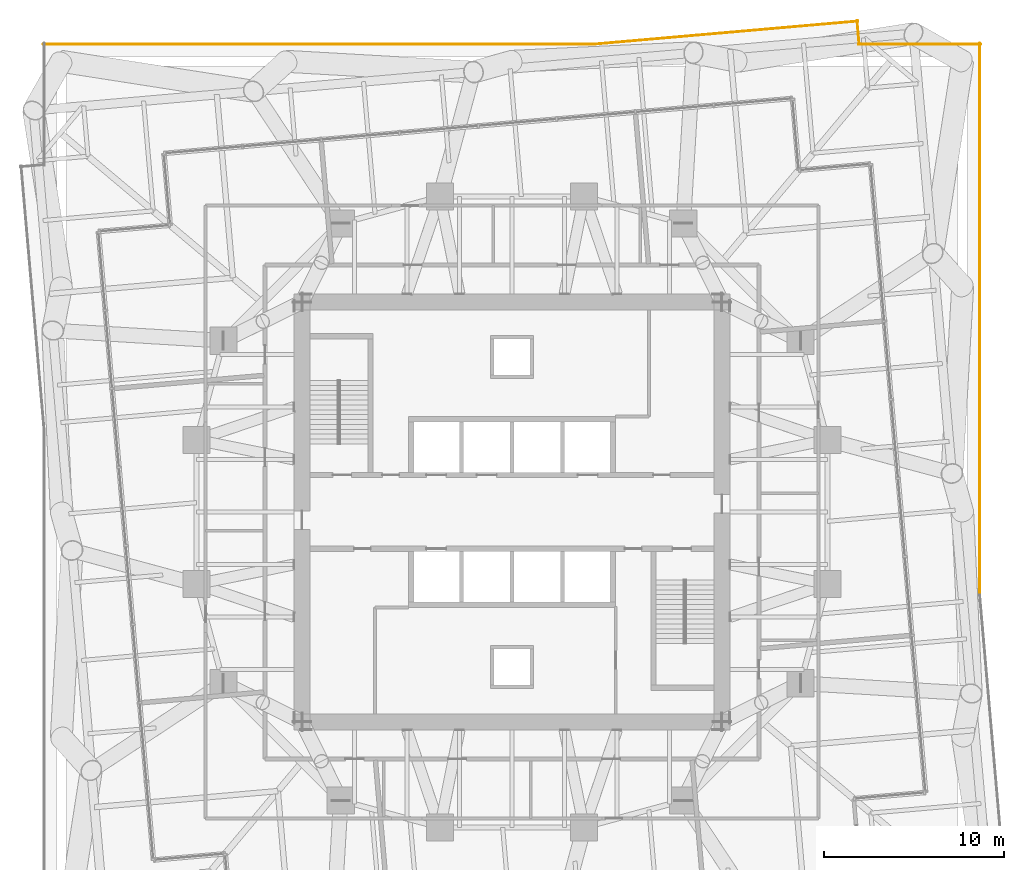
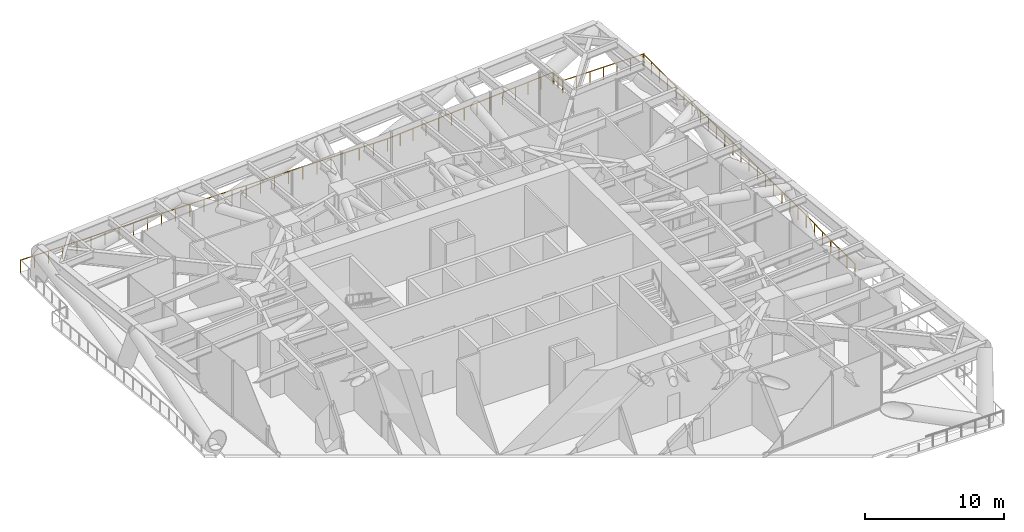
# One storey, part 14 of 14: 5 railings.
"""IFC4 building model written with IfcOpenShell, lengths in metres."""

from ifc_helpers import new_model, si_unit, direction, frame, origin, origin_2d, place, context, subcontext, project, spatial, circle, extrude, material, type_object, element, save


model = new_model("IFC4")

# Units and contexts
model_context = context("Model", 3, precision=1e-05, world=origin(), true_north=direction((0.0, 1.0)))
body_context = subcontext(model_context, "Body", "Model", "MODEL_VIEW")
ifc_project = project(units=[si_unit("LENGTHUNIT", "METRE"), si_unit("AREAUNIT", "SQUARE_METRE"), si_unit("VOLUMEUNIT", "CUBIC_METRE"), si_unit("PLANEANGLEUNIT", "RADIAN"), si_unit("MASSUNIT", "GRAM", prefix="KILO")], contexts=[model_context])

# Site, building, storey
site_placement = place(None, origin())
site = spatial("IfcSite", under=ifc_project, at=site_placement, CompositionType="ELEMENT")
building_placement = place(site_placement, origin())
building = spatial("IfcBuilding", under=site, at=building_placement, Name="Torsade Residences", CompositionType="ELEMENT")
storey_placement = place(building_placement, frame((0.0, 0.0, 42.199951171875)))
storey = spatial("IfcBuildingStorey", under=building, at=storey_placement, Name="L11", CompositionType="ELEMENT", Elevation=42.199951171875)

# Railings
ifc_material = material(Name="Galvanised steel guard rail", Category="steel")
railing_type = type_object("IfcRailingType", Name="ROOF EDGE GUARD 1100", PredefinedType="GUARDRAIL", material=ifc_material)
railing_1_placement = place(storey_placement, frame((65.949951171875, 25.3984375, 0.0)))
element("IfcRailing", 1, at=railing_1_placement, inside=storey, type_object=railing_type, Name="Roof edge guard L11 7", PredefinedType="GUARDRAIL", context=body_context, shape_type="SweptSolid", body=[
    extrude(circle(Radius=0.02392578125, at=origin_2d()), frame((0.0, 0.0, 1.076171875), z_axis=(0.0, 1.0, 0.0), x_axis=(-1.0, 0.0, 0.0)), (0.0, 0.0, 1.0), 30.6015625),
    extrude(circle(Radius=0.02099609375, at=origin_2d()), origin(), (0.0, 0.0, 1.0), 1.052001953125),
    extrude(circle(Radius=0.02099609375, at=origin_2d()), frame((0.0, 1.177001953125, 0.0)), (0.0, 0.0, 1.0), 1.052001953125),
    extrude(circle(Radius=0.02099609375, at=origin_2d()), frame((0.0, 2.35400390625, 0.0)), (0.0, 0.0, 1.0), 1.052001953125),
    extrude(circle(Radius=0.02099609375, at=origin_2d()), frame((0.0, 3.531005859375, 0.0)), (0.0, 0.0, 1.0), 1.052001953125),
    extrude(circle(Radius=0.02099609375, at=origin_2d()), frame((0.0, 4.7080078125, 0.0)), (0.0, 0.0, 1.0), 1.052001953125),
    extrude(circle(Radius=0.02099609375, at=origin_2d()), frame((0.0, 5.885009765625, 0.0)), (0.0, 0.0, 1.0), 1.052001953125),
    extrude(circle(Radius=0.02099609375, at=origin_2d()), frame((0.0, 7.06201171875, 0.0)), (0.0, 0.0, 1.0), 1.052001953125),
    extrude(circle(Radius=0.02099609375, at=origin_2d()), frame((0.0, 8.23876953125, 0.0)), (0.0, 0.0, 1.0), 1.052001953125),
    extrude(circle(Radius=0.02099609375, at=origin_2d()), frame((0.0, 9.415771484375, 0.0)), (0.0, 0.0, 1.0), 1.052001953125),
    extrude(circle(Radius=0.02099609375, at=origin_2d()), frame((0.0, 10.5927734375, 0.0)), (0.0, 0.0, 1.0), 1.052001953125),
    extrude(circle(Radius=0.02099609375, at=origin_2d()), frame((0.0, 11.769775390625, 0.0)), (0.0, 0.0, 1.0), 1.052001953125),
    extrude(circle(Radius=0.02099609375, at=origin_2d()), frame((0.0, 12.94677734375, 0.0)), (0.0, 0.0, 1.0), 1.052001953125),
    extrude(circle(Radius=0.02099609375, at=origin_2d()), frame((0.0, 14.123779296875, 0.0)), (0.0, 0.0, 1.0), 1.052001953125),
    extrude(circle(Radius=0.02099609375, at=origin_2d()), frame((0.0, 15.30078125, 0.0)), (0.0, 0.0, 1.0), 1.052001953125),
    extrude(circle(Radius=0.02099609375, at=origin_2d()), frame((0.0, 16.477783203125, 0.0)), (0.0, 0.0, 1.0), 1.052001953125),
    extrude(circle(Radius=0.02099609375, at=origin_2d()), frame((0.0, 17.65478515625, 0.0)), (0.0, 0.0, 1.0), 1.052001953125),
    extrude(circle(Radius=0.02099609375, at=origin_2d()), frame((0.0, 18.831787109375, 0.0)), (0.0, 0.0, 1.0), 1.052001953125),
    extrude(circle(Radius=0.02099609375, at=origin_2d()), frame((0.0, 20.0087890625, 0.0)), (0.0, 0.0, 1.0), 1.052001953125),
    extrude(circle(Radius=0.02099609375, at=origin_2d()), frame((0.0, 21.185791015625, 0.0)), (0.0, 0.0, 1.0), 1.052001953125),
    extrude(circle(Radius=0.02099609375, at=origin_2d()), frame((0.0, 22.36279296875, 0.0)), (0.0, 0.0, 1.0), 1.052001953125),
    extrude(circle(Radius=0.02099609375, at=origin_2d()), frame((0.0, 23.53955078125, 0.0)), (0.0, 0.0, 1.0), 1.052001953125),
    extrude(circle(Radius=0.02099609375, at=origin_2d()), frame((0.0, 24.716552734375, 0.0)), (0.0, 0.0, 1.0), 1.052001953125),
    extrude(circle(Radius=0.02099609375, at=origin_2d()), frame((0.0, 25.8935546875, 0.0)), (0.0, 0.0, 1.0), 1.052001953125),
    extrude(circle(Radius=0.02099609375, at=origin_2d()), frame((0.0, 27.070556640625, 0.0)), (0.0, 0.0, 1.0), 1.052001953125),
    extrude(circle(Radius=0.02099609375, at=origin_2d()), frame((0.0, 28.24755859375, 0.0)), (0.0, 0.0, 1.0), 1.052001953125),
    extrude(circle(Radius=0.02099609375, at=origin_2d()), frame((0.0, 29.424560546875, 0.0)), (0.0, 0.0, 1.0), 1.052001953125),
    extrude(circle(Radius=0.02099609375, at=origin_2d()), frame((0.0, 30.6015625, 0.0)), (0.0, 0.0, 1.0), 1.052001953125),
])
railing_2_placement = place(storey_placement, frame((66.0, 55.949951171875, 0.0)))
element("IfcRailing", 2, at=railing_2_placement, inside=storey, type_object=railing_type, Name="Roof edge guard L11 8", PredefinedType="GUARDRAIL", context=body_context, shape_type="SweptSolid", body=[
    extrude(circle(Radius=0.02392578125, at=origin_2d()), frame((0.0, 0.0, 1.076171875), z_axis=(-1.0, 0.0, 0.0), x_axis=(0.0, -1.0, 0.0)), (0.0, 0.0, 1.0), 6.7841796875),
    extrude(circle(Radius=0.02099609375, at=origin_2d()), origin(), (0.0, 0.0, 1.0), 1.052001953125),
    extrude(circle(Radius=0.02099609375, at=origin_2d()), frame((-1.130615234375, 0.0, 0.0)), (0.0, 0.0, 1.0), 1.052001953125),
    extrude(circle(Radius=0.02099609375, at=origin_2d()), frame((-2.261474609375, 0.0, 0.0)), (0.0, 0.0, 1.0), 1.052001953125),
    extrude(circle(Radius=0.02099609375, at=origin_2d()), frame((-3.39208984375, 0.0, 0.0)), (0.0, 0.0, 1.0), 1.052001953125),
    extrude(circle(Radius=0.02099609375, at=origin_2d()), frame((-4.522705078125, 0.0, 0.0)), (0.0, 0.0, 1.0), 1.052001953125),
    extrude(circle(Radius=0.02099609375, at=origin_2d()), frame((-5.653564453125, 0.0, 0.0)), (0.0, 0.0, 1.0), 1.052001953125),
    extrude(circle(Radius=0.02099609375, at=origin_2d()), frame((-6.7841796875, 0.0, 0.0)), (0.0, 0.0, 1.0), 1.052001953125),
])
railing_3_placement = place(storey_placement, frame((59.257568359375, 55.99560546875, 0.0)))
element("IfcRailing", 3, at=railing_3_placement, inside=storey, type_object=railing_type, Name="Roof edge guard L11 9", PredefinedType="GUARDRAIL", context=body_context, shape_type="SweptSolid", body=[
    extrude(circle(Radius=0.02392578125, at=origin_2d()), frame((0.0, 0.0, 1.076171875), z_axis=(-0.087048804972, 0.996204048151, 0.0), x_axis=(-0.996204048151, -0.087048804972, 0.0)), (0.0, 0.0, 1.0), 1.28173828125),
    extrude(circle(Radius=0.02099609375, at=origin_2d()), origin(), (0.0, 0.0, 1.0), 1.052001953125),
    extrude(circle(Radius=0.02099609375, at=origin_2d()), frame((-0.0556640625, 0.638427734375, 0.0)), (0.0, 0.0, 1.0), 1.052001953125),
    extrude(circle(Radius=0.02099609375, at=origin_2d()), frame((-0.111572265625, 1.27685546875, 0.0)), (0.0, 0.0, 1.0), 1.052001953125),
])
railing_4_placement = place(storey_placement, frame((59.199951171875, 57.22705078125, 0.0)))
element("IfcRailing", 4, at=railing_4_placement, inside=storey, type_object=railing_type, Name="Roof edge guard L11 10", PredefinedType="GUARDRAIL", context=body_context, shape_type="SweptSolid", body=[
    extrude(circle(Radius=0.02392578125, at=origin_2d()), frame((0.0, 0.0, 1.076171875), z_axis=(-0.996193807914, -0.087165916933, 0.0), x_axis=(0.087165916933, -0.996193807914, 0.0)), (0.0, 0.0, 1.0), 14.654052734375),
    extrude(circle(Radius=0.02099609375, at=origin_2d()), origin(), (0.0, 0.0, 1.0), 1.052001953125),
    extrude(circle(Radius=0.02099609375, at=origin_2d()), frame((-1.123046875, -0.09814453125, 0.0)), (0.0, 0.0, 1.0), 1.052001953125),
    extrude(circle(Radius=0.02099609375, at=origin_2d()), frame((-2.245849609375, -0.196533203125, 0.0)), (0.0, 0.0, 1.0), 1.052001953125),
    extrude(circle(Radius=0.02099609375, at=origin_2d()), frame((-3.368896484375, -0.294677734375, 0.0)), (0.0, 0.0, 1.0), 1.052001953125),
    extrude(circle(Radius=0.02099609375, at=origin_2d()), frame((-4.49169921875, -0.39306640625, 0.0)), (0.0, 0.0, 1.0), 1.052001953125),
    extrude(circle(Radius=0.02099609375, at=origin_2d()), frame((-5.61474609375, -0.4912109375, 0.0)), (0.0, 0.0, 1.0), 1.052001953125),
    extrude(circle(Radius=0.02099609375, at=origin_2d()), frame((-6.73779296875, -0.589599609375, 0.0)), (0.0, 0.0, 1.0), 1.052001953125),
    extrude(circle(Radius=0.02099609375, at=origin_2d()), frame((-7.860595703125, -0.687744140625, 0.0)), (0.0, 0.0, 1.0), 1.052001953125),
    extrude(circle(Radius=0.02099609375, at=origin_2d()), frame((-8.983642578125, -0.7861328125, 0.0)), (0.0, 0.0, 1.0), 1.052001953125),
    extrude(circle(Radius=0.02099609375, at=origin_2d()), frame((-10.106689453125, -0.88427734375, 0.0)), (0.0, 0.0, 1.0), 1.052001953125),
    extrude(circle(Radius=0.02099609375, at=origin_2d()), frame((-11.2294921875, -0.982666015625, 0.0)), (0.0, 0.0, 1.0), 1.052001953125),
    extrude(circle(Radius=0.02099609375, at=origin_2d()), frame((-12.3525390625, -1.080810546875, 0.0)), (0.0, 0.0, 1.0), 1.052001953125),
    extrude(circle(Radius=0.02099609375, at=origin_2d()), frame((-13.475341796875, -1.17919921875, 0.0)), (0.0, 0.0, 1.0), 1.052001953125),
    extrude(circle(Radius=0.02099609375, at=origin_2d()), frame((-14.598388671875, -1.27734375, 0.0)), (0.0, 0.0, 1.0), 1.052001953125),
])
railing_5_placement = place(storey_placement, frame((44.6015625, 55.949951171875, 0.0)))
element("IfcRailing", 5, at=railing_5_placement, inside=storey, type_object=railing_type, Name="Roof edge guard L11 11", PredefinedType="GUARDRAIL", context=body_context, shape_type="SweptSolid", body=[
    extrude(circle(Radius=0.02392578125, at=origin_2d()), frame((0.0, 0.0, 1.076171875), z_axis=(-1.0, 0.0, 0.0), x_axis=(0.0, -1.0, 0.0)), (0.0, 0.0, 1.0), 30.6015625),
    extrude(circle(Radius=0.02099609375, at=origin_2d()), origin(), (0.0, 0.0, 1.0), 1.052001953125),
    extrude(circle(Radius=0.02099609375, at=origin_2d()), frame((-1.177001953125, 0.0, 0.0)), (0.0, 0.0, 1.0), 1.052001953125),
    extrude(circle(Radius=0.02099609375, at=origin_2d()), frame((-2.35400390625, 0.0, 0.0)), (0.0, 0.0, 1.0), 1.052001953125),
    extrude(circle(Radius=0.02099609375, at=origin_2d()), frame((-3.531005859375, 0.0, 0.0)), (0.0, 0.0, 1.0), 1.052001953125),
    extrude(circle(Radius=0.02099609375, at=origin_2d()), frame((-4.7080078125, 0.0, 0.0)), (0.0, 0.0, 1.0), 1.052001953125),
    extrude(circle(Radius=0.02099609375, at=origin_2d()), frame((-5.885009765625, 0.0, 0.0)), (0.0, 0.0, 1.0), 1.052001953125),
    extrude(circle(Radius=0.02099609375, at=origin_2d()), frame((-7.06201171875, 0.0, 0.0)), (0.0, 0.0, 1.0), 1.052001953125),
    extrude(circle(Radius=0.02099609375, at=origin_2d()), frame((-8.23876953125, 0.0, 0.0)), (0.0, 0.0, 1.0), 1.052001953125),
    extrude(circle(Radius=0.02099609375, at=origin_2d()), frame((-9.415771484375, 0.0, 0.0)), (0.0, 0.0, 1.0), 1.052001953125),
    extrude(circle(Radius=0.02099609375, at=origin_2d()), frame((-10.5927734375, 0.0, 0.0)), (0.0, 0.0, 1.0), 1.052001953125),
    extrude(circle(Radius=0.02099609375, at=origin_2d()), frame((-11.769775390625, 0.0, 0.0)), (0.0, 0.0, 1.0), 1.052001953125),
    extrude(circle(Radius=0.02099609375, at=origin_2d()), frame((-12.94677734375, 0.0, 0.0)), (0.0, 0.0, 1.0), 1.052001953125),
    extrude(circle(Radius=0.02099609375, at=origin_2d()), frame((-14.123779296875, 0.0, 0.0)), (0.0, 0.0, 1.0), 1.052001953125),
    extrude(circle(Radius=0.02099609375, at=origin_2d()), frame((-15.30078125, 0.0, 0.0)), (0.0, 0.0, 1.0), 1.052001953125),
    extrude(circle(Radius=0.02099609375, at=origin_2d()), frame((-16.477783203125, 0.0, 0.0)), (0.0, 0.0, 1.0), 1.052001953125),
    extrude(circle(Radius=0.02099609375, at=origin_2d()), frame((-17.65478515625, 0.0, 0.0)), (0.0, 0.0, 1.0), 1.052001953125),
    extrude(circle(Radius=0.02099609375, at=origin_2d()), frame((-18.831787109375, 0.0, 0.0)), (0.0, 0.0, 1.0), 1.052001953125),
    extrude(circle(Radius=0.02099609375, at=origin_2d()), frame((-20.0087890625, 0.0, 0.0)), (0.0, 0.0, 1.0), 1.052001953125),
    extrude(circle(Radius=0.02099609375, at=origin_2d()), frame((-21.185791015625, 0.0, 0.0)), (0.0, 0.0, 1.0), 1.052001953125),
    extrude(circle(Radius=0.02099609375, at=origin_2d()), frame((-22.36279296875, 0.0, 0.0)), (0.0, 0.0, 1.0), 1.052001953125),
    extrude(circle(Radius=0.02099609375, at=origin_2d()), frame((-23.53955078125, 0.0, 0.0)), (0.0, 0.0, 1.0), 1.052001953125),
    extrude(circle(Radius=0.02099609375, at=origin_2d()), frame((-24.716552734375, 0.0, 0.0)), (0.0, 0.0, 1.0), 1.052001953125),
    extrude(circle(Radius=0.02099609375, at=origin_2d()), frame((-25.8935546875, 0.0, 0.0)), (0.0, 0.0, 1.0), 1.052001953125),
    extrude(circle(Radius=0.02099609375, at=origin_2d()), frame((-27.070556640625, 0.0, 0.0)), (0.0, 0.0, 1.0), 1.052001953125),
    extrude(circle(Radius=0.02099609375, at=origin_2d()), frame((-28.24755859375, 0.0, 0.0)), (0.0, 0.0, 1.0), 1.052001953125),
    extrude(circle(Radius=0.02099609375, at=origin_2d()), frame((-29.424560546875, 0.0, 0.0)), (0.0, 0.0, 1.0), 1.052001953125),
    extrude(circle(Radius=0.02099609375, at=origin_2d()), frame((-30.6015625, 0.0, 0.0)), (0.0, 0.0, 1.0), 1.052001953125),
])

save(model, "model.ifc")
